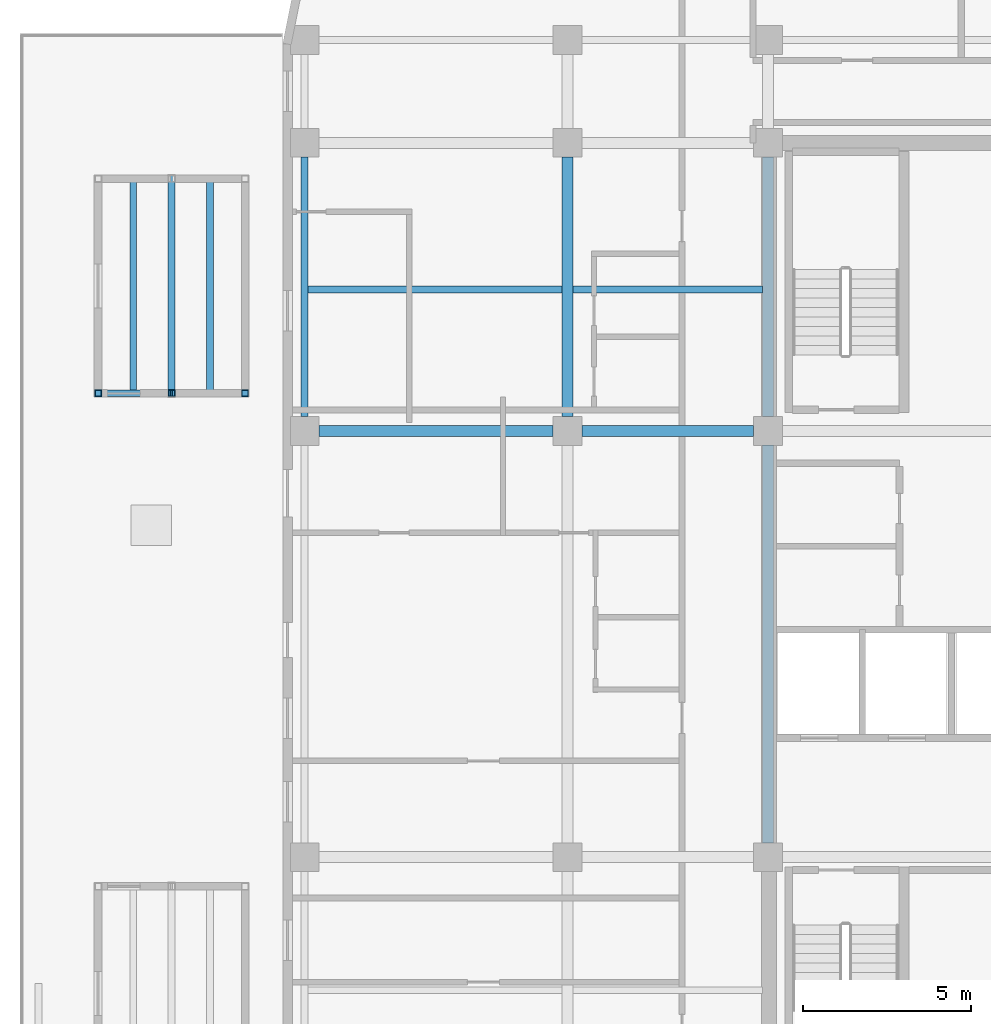
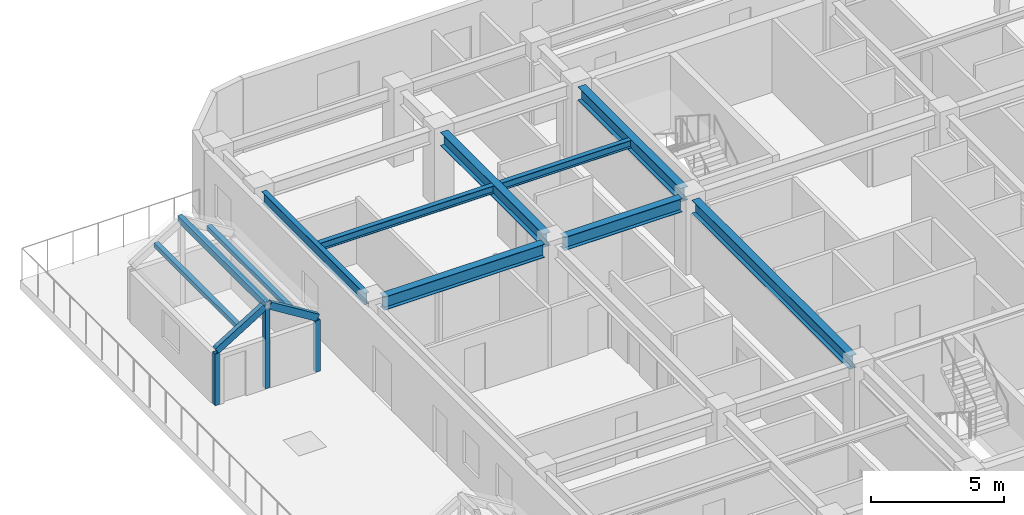
# One storey, part 4 of 19: 8 beams, 8 members.
"""IFC4 building model written with IfcOpenShell, lengths in metres."""

from ifc_helpers import new_model, si_unit, direction, frame, origin, origin_2d, place, context, subcontext, project, spatial, hollow_rectangle, i_section, extrude, material, material_profile, profile_set, type_object, element, save


model = new_model("IFC4")

# Units and contexts
model_context = context("Model", 3, precision=1e-05, world=origin(), true_north=direction((0.0, 1.0)))
body_context = subcontext(model_context, "Body", "Model", "MODEL_VIEW")
ifc_project = project(units=[si_unit("LENGTHUNIT", "METRE"), si_unit("AREAUNIT", "SQUARE_METRE"), si_unit("VOLUMEUNIT", "CUBIC_METRE"), si_unit("PLANEANGLEUNIT", "RADIAN"), si_unit("MASSUNIT", "GRAM", prefix="KILO")], contexts=[model_context])

# Site, building, storey
site_placement = place(None, origin())
site = spatial("IfcSite", under=ifc_project, at=site_placement, CompositionType="ELEMENT")
building_placement = place(site_placement, origin())
building = spatial("IfcBuilding", under=site, at=building_placement, Name="Ochreholt Gables", CompositionType="ELEMENT")
storey_placement = place(building_placement, frame((0.0, 0.0, 76.800048828125)))
storey = spatial("IfcBuildingStorey", under=building, at=storey_placement, Name="L19", CompositionType="ELEMENT", Elevation=76.800048828125)

# Beams
ifc_material = material(Name="Steel CSA G40.21 350W", Category="steel")
ifc_material_profile_1 = material_profile(ifc_material, i_section(OverallWidth=0.323974609375, OverallDepth=0.611083984375, WebThickness=0.0126953125, FlangeThickness=0.01904296875, at=origin_2d()), Name="W610X155")
ifc_profile_set_1 = profile_set([ifc_material_profile_1], Name="Steel CSA G40.21 350W")
beam_type_1 = type_object("IfcBeamType", Name="BM-G-W610A", PredefinedType="BEAM", material=ifc_profile_set_1)
beam_1_placement = place(storey_placement, frame((10.87451171875, 30.199951171875, 3.054443359375), z_axis=(1.0, 0.0, 0.0), x_axis=(0.0, 1.0, 0.0)))
element("IfcBeam", 1, at=beam_1_placement, inside=storey, type_object=beam_type_1, Name="L19 Beam TBG-L19-W2W3-Y4", PredefinedType="BEAM", context=body_context, shape_type="SweptSolid", body=[
    extrude(i_section(OverallWidth=0.323974609375, OverallDepth=0.611083984375, WebThickness=0.0126953125, FlangeThickness=0.01904296875, at=origin_2d()), origin(), (0.0, 0.0, 1.0), 6.950927734375),
])
beam_2_placement = place(storey_placement, frame((18.674560546875, 30.199951171875, 3.054443359375), z_axis=(1.0, 0.0, 0.0), x_axis=(0.0, 1.0, 0.0)))
element("IfcBeam", 2, at=beam_2_placement, inside=storey, type_object=beam_type_1, Name="L19 Beam TBG-L19-W3C1-Y4", PredefinedType="BEAM", context=body_context, shape_type="SweptSolid", body=[
    extrude(i_section(OverallWidth=0.323974609375, OverallDepth=0.611083984375, WebThickness=0.0126953125, FlangeThickness=0.01904296875, at=origin_2d()), origin(), (0.0, 0.0, 1.0), 5.100830078125),
])
beam_3_placement = place(storey_placement, frame((18.25, 30.62451171875, 3.054443359375), z_axis=(0.0, 1.0, 0.0), x_axis=(-1.0, 0.0, 0.0)))
element("IfcBeam", 3, at=beam_3_placement, inside=storey, type_object=beam_type_1, Name="L19 Beam TBN-L19-W3-Y4Y5", PredefinedType="BEAM", context=body_context, shape_type="SweptSolid", body=[
    extrude(i_section(OverallWidth=0.323974609375, OverallDepth=0.611083984375, WebThickness=0.0126953125, FlangeThickness=0.01904296875, at=origin_2d()), origin(), (0.0, 0.0, 1.0), 7.700927734375),
])
beam_4_placement = place(storey_placement, frame((24.199951171875, 17.974609375, 3.054443359375), z_axis=(0.0, 1.0, 0.0), x_axis=(-1.0, 0.0, 0.0)))
element("IfcBeam", 4, at=beam_4_placement, inside=storey, type_object=beam_type_1, Name="L19 Beam TBN-L19-C1-Y3Y4", PredefinedType="BEAM", context=body_context, shape_type="SweptSolid", body=[
    extrude(i_section(OverallWidth=0.323974609375, OverallDepth=0.611083984375, WebThickness=0.0126953125, FlangeThickness=0.01904296875, at=origin_2d()), origin(), (0.0, 0.0, 1.0), 11.80078125),
])
beam_5_placement = place(storey_placement, frame((24.199951171875, 30.62451171875, 3.054443359375), z_axis=(0.0, 1.0, 0.0), x_axis=(-1.0, 0.0, 0.0)))
element("IfcBeam", 5, at=beam_5_placement, inside=storey, type_object=beam_type_1, Name="L19 Beam TBN-L19-C1-Y4Y5", PredefinedType="BEAM", context=body_context, shape_type="SweptSolid", body=[
    extrude(i_section(OverallWidth=0.323974609375, OverallDepth=0.611083984375, WebThickness=0.0126953125, FlangeThickness=0.01904296875, at=origin_2d()), origin(), (0.0, 0.0, 1.0), 7.700927734375),
])
ifc_material_profile_2 = material_profile(ifc_material, i_section(OverallWidth=0.205078125, OverallDepth=0.35400390625, WebThickness=0.009521484375, FlangeThickness=0.016845703125, at=origin_2d()), Name="W360X79")
ifc_profile_set_2 = profile_set([ifc_material_profile_2], Name="Steel CSA G40.21 350W")
beam_type_2 = type_object("IfcBeamType", Name="BM-J-W360A", PredefinedType="JOIST", material=ifc_profile_set_2)
beam_6_placement = place(storey_placement, frame((10.55419921875, 34.39990234375, 3.182861328125), z_axis=(1.0, 0.0, 0.0), x_axis=(0.0, 1.0, 0.0)))
element("IfcBeam", 6, at=beam_6_placement, inside=storey, type_object=beam_type_2, Name="L19 Beam TBJ-L19-J2-W2W3", PredefinedType="JOIST", context=body_context, shape_type="SweptSolid", body=[
    extrude(i_section(OverallWidth=0.205078125, OverallDepth=0.35400390625, WebThickness=0.009521484375, FlangeThickness=0.016845703125, at=origin_2d()), origin(), (0.0, 0.0, 1.0), 7.5341796875),
])
beam_7_placement = place(storey_placement, frame((18.41162109375, 34.39990234375, 3.182861328125), z_axis=(1.0, 0.0, 0.0), x_axis=(0.0, 1.0, 0.0)))
element("IfcBeam", 7, at=beam_7_placement, inside=storey, type_object=beam_type_2, Name="L19 Beam TBJ-L19-J2-W3C1", PredefinedType="JOIST", context=body_context, shape_type="SweptSolid", body=[
    extrude(i_section(OverallWidth=0.205078125, OverallDepth=0.35400390625, WebThickness=0.009521484375, FlangeThickness=0.016845703125, at=origin_2d()), origin(), (0.0, 0.0, 1.0), 5.626708984375),
])
ifc_material_profile_3 = material_profile(ifc_material, i_section(OverallWidth=0.208984375, OverallDepth=0.532958984375, WebThickness=0.01025390625, FlangeThickness=0.015625, at=origin_2d()), Name="W530X92")
ifc_profile_set_3 = profile_set([ifc_material_profile_3], Name="Steel CSA G40.21 350W")
beam_type_3 = type_object("IfcBeamType", Name="BM-SP-W530B", PredefinedType="SPANDREL", material=ifc_profile_set_3)
beam_8_placement = place(storey_placement, frame((10.449951171875, 30.62451171875, 3.093505859375), z_axis=(0.0, 1.0, 0.0), x_axis=(-1.0, 0.0, 0.0)))
element("IfcBeam", 8, at=beam_8_placement, inside=storey, type_object=beam_type_3, Name="L19 Beam TBN-L19-W2-Y4Y5", PredefinedType="SPANDREL", context=body_context, shape_type="SweptSolid", body=[
    extrude(i_section(OverallWidth=0.208984375, OverallDepth=0.532958984375, WebThickness=0.01025390625, FlangeThickness=0.015625, at=origin_2d()), origin(), (0.0, 0.0, 1.0), 7.700927734375),
])

# Members
ifc_material_profile_4 = material_profile(ifc_material, hollow_rectangle(XDim=0.202880859375, YDim=0.202880859375, WallThickness=0.009521484375, at=origin_2d()), Name="HSS203X203X10")
ifc_profile_set_4 = profile_set([ifc_material_profile_4], Name="Steel CSA G40.21 350W")
member_type_1 = type_object("IfcMemberType", Name="MEM-GB-PR1", PredefinedType="PURLIN", material=ifc_profile_set_4)
for number, where, z_axis, x_axis, name in (
    (9, (5.359619140625, 31.39697265625, 3.13037109375), (0.0, 1.0, 0.0), (-1.0, 0.0, 0.0), "L19 Gable West Purlin GB-19W2"),
    (10, (7.640625, 31.39697265625, 3.13037109375), (0.0, 1.0, 0.0), (-1.0, 0.0, 0.0), "L19 Gable East Purlin GB-19W2"),
):
    element("IfcMember", number, at=place(storey_placement, frame(where, z_axis=z_axis, x_axis=x_axis)), inside=storey, type_object=member_type_1, Name=name, PredefinedType="PURLIN", context=body_context, shape_type="SweptSolid", body=[
        extrude(hollow_rectangle(XDim=0.202880859375, YDim=0.202880859375, WallThickness=0.009521484375, at=origin_2d()), origin(), (0.0, 0.0, 1.0), 6.2060546875),
    ])
ifc_material_profile_5 = material_profile(ifc_material, hollow_rectangle(XDim=0.202880859375, YDim=0.202880859375, WallThickness=0.009521484375, at=origin_2d()), Name="HSS203X203X10")
ifc_profile_set_5 = profile_set([ifc_material_profile_5], Name="Steel CSA G40.21 350W")
member_type_2 = type_object("IfcMemberType", Name="MEM-GB-PT2", PredefinedType="POST", material=ifc_profile_set_5)
for number, where, z_axis, x_axis, name in (
    (11, (4.320068359375, 31.320068359375, 0.0), (0.0, 0.0, 1.0), (1.0, 0.0, 0.0), "L19 Gable Pavilion Post GB-19W2-P1"),
    (12, (8.679931640625, 31.320068359375, 0.0), (0.0, 0.0, 1.0), (1.0, 0.0, 0.0), "L19 Gable Pavilion Post GB-19W2-P2"),
):
    element("IfcMember", number, at=place(storey_placement, frame(where, z_axis=z_axis, x_axis=x_axis)), inside=storey, type_object=member_type_2, Name=name, PredefinedType="POST", context=body_context, shape_type="SweptSolid", body=[
        extrude(hollow_rectangle(XDim=0.202880859375, YDim=0.202880859375, WallThickness=0.009521484375, at=origin_2d()), origin(), (0.0, 0.0, 1.0), 2.361572265625),
    ])
member_1_placement = place(storey_placement, frame((6.5, 31.320068359375, 0.0), z_axis=(0.0, 0.0, 1.0), x_axis=(1.0, 0.0, 0.0)))
element("IfcMember", 13, at=member_1_placement, inside=storey, type_object=member_type_2, Name="L19 Gable Ridge Post GB-19W2-PRG1", PredefinedType="POST", context=body_context, shape_type="SweptSolid", body=[
    extrude(hollow_rectangle(XDim=0.202880859375, YDim=0.202880859375, WallThickness=0.009521484375, at=origin_2d()), origin(), (0.0, 0.0, 1.0), 3.680419921875),
])
ifc_material_profile_6 = material_profile(ifc_material, hollow_rectangle(XDim=0.202880859375, YDim=0.304931640625, WallThickness=0.0126953125, at=origin_2d()), Name="HSS305X203X13")
ifc_profile_set_6 = profile_set([ifc_material_profile_6], Name="Steel CSA G40.21 350W")
member_type_3 = type_object("IfcMemberType", Name="MEM-GB-RF1", PredefinedType="RAFTER", material=ifc_profile_set_6)
for number, where, z_axis, x_axis, name in (
    (14, (4.320068359375, 31.320068359375, 2.46484375), (0.850139585687, 0.0, 0.52655738989), (0.0, 1.0, 0.0), "L19 Gable West Rafter 1 GB-19W2"),
    (15, (8.679931640625, 31.320068359375, 2.46484375), (-0.850139585687, 0.0, 0.52655738989), (0.0, -1.0, 0.0), "L19 Gable East Rafter 1 GB-19W2"),
):
    element("IfcMember", number, at=place(storey_placement, frame(where, z_axis=z_axis, x_axis=x_axis)), inside=storey, type_object=member_type_3, Name=name, PredefinedType="RAFTER", context=body_context, shape_type="SweptSolid", body=[
        extrude(hollow_rectangle(XDim=0.202880859375, YDim=0.304931640625, WallThickness=0.0126953125, at=origin_2d()), origin(), (0.0, 0.0, 1.0), 2.4453125),
    ])
ifc_material_profile_7 = material_profile(ifc_material, hollow_rectangle(XDim=0.202880859375, YDim=0.304931640625, WallThickness=0.0126953125, at=origin_2d()), Name="HSS305X203X13")
ifc_profile_set_7 = profile_set([ifc_material_profile_7], Name="Steel CSA G40.21 350W")
member_type_4 = type_object("IfcMemberType", Name="MEM-GB-RF1E", PredefinedType="RAFTER", material=ifc_profile_set_7)
member_2_placement = place(storey_placement, frame((6.5, 31.219970703125, 3.81494140625), z_axis=(0.0, 1.0, 0.0), x_axis=(-1.0, 0.0, 0.0)))
element("IfcMember", 16, at=member_2_placement, inside=storey, type_object=member_type_4, Name="L19 Gable Ridge Member GB-19W2", PredefinedType="RAFTER", context=body_context, shape_type="SweptSolid", body=[
    extrude(hollow_rectangle(XDim=0.202880859375, YDim=0.304931640625, WallThickness=0.0126953125, at=origin_2d()), origin(), (0.0, 0.0, 1.0), 6.56005859375),
])

save(model, "model.ifc")
